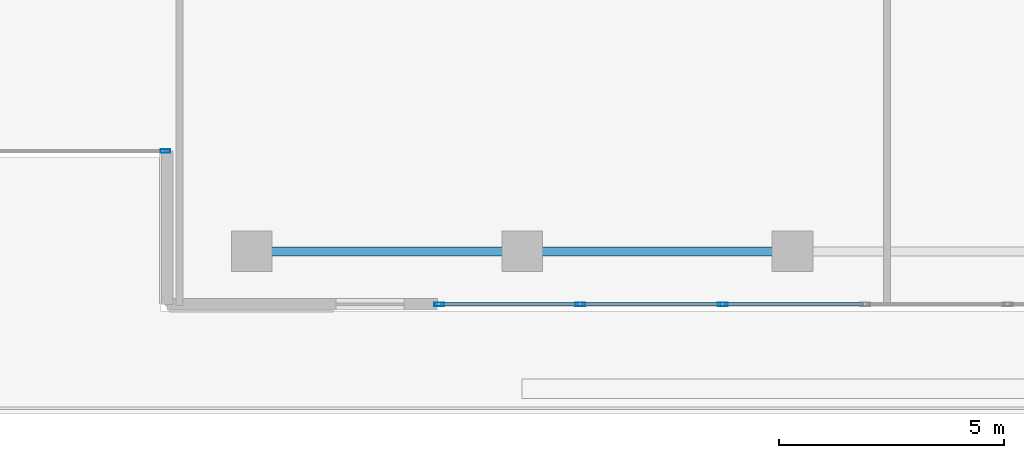
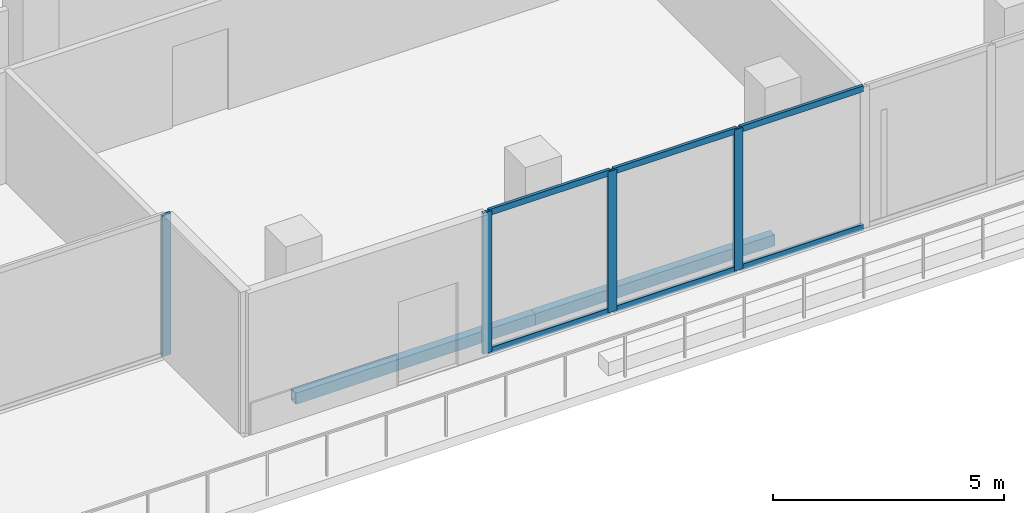
# One storey, part 5 of 30: 10 members, 2 beams, 2 elements without a shape of their own.
"""IFC4 building model written with IfcOpenShell, lengths in metres."""

import ifcopenshell
import ifcopenshell.guid

model = None  # the IFC model being written
_history = None  # IfcOwnerHistory: only IFC2X3 demands one
_inside = {}  # id of a spatial element -> (the spatial element, [elements in it])
_under = {}  # id of a project, library or spatial element -> (it, [spatial elements below it])
_declared = {}  # id of a project -> (the project, [libraries it declares])
_typed = {}  # id of a type object -> (the type object, [elements of that type])
_made_of = {}  # id of a material, layer set ... -> (it, [elements and type objects made of it])


def new_model(schema):
    """Start an empty IFC model of exactly this schema.

    Asked for "IFC4X3", IfcOpenShell would pick the latest addendum, in which some entities
    have other attributes; the version numbers below select the first issue.
    IFC2X3 requires an IfcOwnerHistory on every rooted entity: one is made here for all.
    """
    global model, _history
    if schema == "IFC4X3":
        model = ifcopenshell.file(schema_version=(4, 3, 0, 0))
    else:
        model = ifcopenshell.file(schema=schema)
    _inside.clear()
    _under.clear()
    _declared.clear()
    _typed.clear()
    _made_of.clear()
    _history = None
    if model.schema == "IFC2X3":
        org = make("IfcOrganization", Name="unknown")
        user = make(
            "IfcPersonAndOrganization",
            ThePerson=make("IfcPerson", FamilyName="unknown"),
            TheOrganization=org,
        )
        app = make(
            "IfcApplication",
            ApplicationDeveloper=org,
            Version="unknown",
            ApplicationFullName="unknown",
            ApplicationIdentifier="unknown",
        )
        _history = make(
            "IfcOwnerHistory",
            OwningUser=user,
            OwningApplication=app,
            ChangeAction="ADDED",
            CreationDate=0,
        )
    return model


def make(cls, **values):
    """One entity of the class cls with the attributes given. An attribute that is None is left unset."""
    return model.create_entity(
        cls, **{name: value for name, value in values.items() if value is not None}
    )


def rooted(cls, **values):
    """An entity with a GlobalId (a new one), such as an element, a storey or a relation."""
    return make(cls, GlobalId=ifcopenshell.guid.new(), OwnerHistory=_history, **values)


def si_unit(unit_type, name, prefix=None):
    """IfcSIUnit, for example si_unit("LENGTHUNIT", "METRE", prefix="MILLI")."""
    return make("IfcSIUnit", UnitType=unit_type, Prefix=prefix, Name=name)


def assignment(units):
    """IfcUnitAssignment: the units of a project."""
    return None if units is None else make("IfcUnitAssignment", Units=units)


def point(xyz):
    """IfcCartesianPoint."""
    return None if xyz is None else make("IfcCartesianPoint", Coordinates=xyz)


def direction(xyz):
    """IfcDirection."""
    return None if xyz is None else make("IfcDirection", DirectionRatios=xyz)


def frame(location, z_axis=None, x_axis=None):
    """IfcAxis2Placement3D, a coordinate frame: its origin and axes. An axis left out is left unset."""
    return make(
        "IfcAxis2Placement3D",
        Location=point(location),
        Axis=direction(z_axis),
        RefDirection=direction(x_axis),
    )


def frame_2d(location, x_axis=None):
    """IfcAxis2Placement2D, a coordinate frame in the plane: its origin and x axis."""
    return make(
        "IfcAxis2Placement2D", Location=point(location), RefDirection=direction(x_axis)
    )


def origin():
    """The frame at (0, 0, 0) with its axes left unset."""
    return frame((0.0, 0.0, 0.0))


def origin_2d():
    """The frame at (0, 0) in the plane with its x axis left unset."""
    return frame_2d((0.0, 0.0))


def place(relative_to, where):
    """IfcLocalPlacement: puts the frame where relative to a parent placement (None: the world)."""
    return make(
        "IfcLocalPlacement", PlacementRelTo=relative_to, RelativePlacement=where
    )


def context(
    kind, dimensions, precision=None, world=None, true_north=None, identifier=None
):
    """IfcGeometricRepresentationContext, for example the 3D "Model" context."""
    return make(
        "IfcGeometricRepresentationContext",
        ContextIdentifier=identifier,
        ContextType=kind,
        CoordinateSpaceDimension=dimensions,
        Precision=precision,
        WorldCoordinateSystem=world,
        TrueNorth=true_north,
    )


def subcontext(parent, identifier, kind, view, scale=None):
    """IfcGeometricRepresentationSubContext, for example "Body" below "Model"."""
    return make(
        "IfcGeometricRepresentationSubContext",
        ContextIdentifier=identifier,
        ContextType=kind,
        ParentContext=parent,
        TargetScale=scale,
        TargetView=view,
    )


def project(units=None, contexts=None):
    """IfcProject with its units and contexts."""
    return rooted(
        "IfcProject",
        Name="project",
        RepresentationContexts=contexts,
        UnitsInContext=assignment(units),
    )


def spatial(cls, under=None, at=None, **own):
    """A site, building, storey or space (cls), placed at a placement, below another one or the project."""
    s = rooted(cls, ObjectPlacement=at, **own)
    if under is not None:
        _under.setdefault(under.id(), (under, []))[1].append(s)
    return s


def profile(cls, at=None, kind="AREA", **sizes):
    """A parametric profile (cls). Its sizes go by their IFC names, for example OverallWidth=200.0."""
    return make(cls, ProfileType=kind, Position=at, **sizes)


def hollow_rectangle(**sizes):
    """IfcRectangleHollowProfileDef."""
    return profile("IfcRectangleHollowProfileDef", **sizes)


def extrude(swept, where, along, depth):
    """IfcExtrudedAreaSolid: the profile swept, set in the frame where, extruded along a direction by depth."""
    return make(
        "IfcExtrudedAreaSolid",
        SweptArea=swept,
        Position=where,
        ExtrudedDirection=direction(along),
        Depth=depth,
    )


def shape(context_of_items, identifier, shape_type, items):
    """IfcShapeRepresentation: the items that make up one representation, for example the "Body"."""
    return make(
        "IfcShapeRepresentation",
        ContextOfItems=context_of_items,
        RepresentationIdentifier=identifier,
        RepresentationType=shape_type,
        Items=items,
    )


def material(Name=None, Category=None):
    """IfcMaterial."""
    return make("IfcMaterial", Name=Name, Category=Category)


def layer(
    of_material, thickness, ventilated=None, Name=None, Category=None, Priority=None
):
    """IfcMaterialLayer: one layer of a wall or slab, of a material (None: an air gap)."""
    return make(
        "IfcMaterialLayer",
        Material=of_material,
        LayerThickness=thickness,
        IsVentilated=ventilated,
        Name=Name,
        Category=Category,
        Priority=Priority,
    )


def layer_set(layers, Name=None):
    """IfcMaterialLayerSet."""
    return make("IfcMaterialLayerSet", MaterialLayers=layers, LayerSetName=Name)


def material_profile(
    of_material, cross_section, Name=None, Category=None, Priority=None
):
    """IfcMaterialProfile: a cross section and its material."""
    return make(
        "IfcMaterialProfile",
        Name=Name,
        Material=of_material,
        Profile=cross_section,
        Priority=Priority,
        Category=Category,
    )


def profile_set(profiles, Name=None, composite=None):
    """IfcMaterialProfileSet."""
    return make(
        "IfcMaterialProfileSet",
        Name=Name,
        MaterialProfiles=profiles,
        CompositeProfile=composite,
    )


def made_of(thing, what):
    """Note that an element or type object is made of a material, layer set ...; save() writes the relation."""
    if what is not None:
        _made_of.setdefault(what.id(), (what, []))[1].append(thing)
    return thing


def type_object(cls, material=None, **own):
    """A type object (cls), such as IfcWallType, which elements share."""
    return made_of(rooted(cls, **own), material)


def element(
    cls,
    number,
    at=None,
    inside=None,
    cuts=None,
    type_object=None,
    material=None,
    context=None,
    identifier="Body",
    shape_type=None,
    held_by="IfcProductDefinitionShape",
    body=None,
    shapes=None,
    **own,
):
    """One element of the class cls, such as IfcWall. Its Tag is "e" and its number.

    at: its placement. inside: the storey or other place that contains it. cuts: it is an
    opening in that element (IfcRelVoidsElement). A single representation is given by context,
    identifier, shape_type and body (its items); several are given by shapes. held_by: the class
    of the entity that holds the representations. save() writes the other relations.
    """
    e = rooted(cls, Tag="e%d" % number, ObjectPlacement=at, **own)
    if body is not None:
        shapes = [shape(context, identifier, shape_type, body)]
    if shapes is not None:
        e.Representation = make(held_by, Representations=shapes)
    if inside is not None:
        _inside.setdefault(inside.id(), (inside, []))[1].append(e)
    if cuts is not None:
        rooted(
            "IfcRelVoidsElement", RelatingBuildingElement=cuts, RelatedOpeningElement=e
        )
    if type_object is not None:
        _typed.setdefault(type_object.id(), (type_object, []))[1].append(e)
    return made_of(e, material)


def aggregate(whole, parts):
    """IfcRelAggregates: a whole, such as a stair, and the parts it consists of."""
    return rooted("IfcRelAggregates", RelatingObject=whole, RelatedObjects=parts)


def save(model, path):
    """Write the relations noted so far, then the file.

    IfcRelAggregates (storeys below a building ...), IfcRelContainedInSpatialStructure (elements
    in a storey), IfcRelDefinesByType, IfcRelAssociatesMaterial and IfcRelDeclares: one each for
    every whole, place, type object, material and project.
    """
    for whole, parts in _under.values():
        aggregate(whole, parts)
    for where, things in _inside.values():
        rooted(
            "IfcRelContainedInSpatialStructure",
            RelatedElements=things,
            RelatingStructure=where,
        )
    for kind, things in _typed.values():
        rooted("IfcRelDefinesByType", RelatedObjects=things, RelatingType=kind)
    for what, things in _made_of.values():
        rooted("IfcRelAssociatesMaterial", RelatedObjects=things, RelatingMaterial=what)
    for by, libraries in _declared.values():
        rooted("IfcRelDeclares", RelatingContext=by, RelatedDefinitions=libraries)
    model.write(path)


model = new_model("IFC4")

# Units and contexts
model_context = context("Model", 3, precision=1e-05, world=origin(), true_north=direction((0.0, 1.0)))
body_context = subcontext(model_context, "Body", "Model", "MODEL_VIEW")
ifc_project = project(units=[si_unit("LENGTHUNIT", "METRE"), si_unit("AREAUNIT", "SQUARE_METRE"), si_unit("VOLUMEUNIT", "CUBIC_METRE"), si_unit("PLANEANGLEUNIT", "RADIAN"), si_unit("MASSUNIT", "GRAM", prefix="KILO")], contexts=[model_context])

# Site, building, storey
site_placement = place(None, origin())
site = spatial("IfcSite", under=ifc_project, at=site_placement, CompositionType="ELEMENT")
building_placement = place(site_placement, origin())
building = spatial("IfcBuilding", under=site, at=building_placement, Name="Tanjung Sevakor Pilgrim Tower", CompositionType="ELEMENT")
storey_placement = place(building_placement, frame((0.0, 0.0, 128.0400390625)))
storey = spatial("IfcBuildingStorey", under=building, at=storey_placement, Name="L35", CompositionType="ELEMENT", Elevation=128.0400390625)

# Beams
ifc_material_1 = material(Name="Steel S355J2", Category="steel")
ifc_material_profile_1 = material_profile(ifc_material_1, hollow_rectangle(XDim=0.199951171875, YDim=0.300048828125, WallThickness=0.012451171875, at=origin_2d()))
ifc_profile_set_1 = profile_set([ifc_material_profile_1], Name="Steel S355J2")
beam_type = type_object("IfcBeamType", Name="BM-B-SP3-RHS_300x200x12.5", PredefinedType="SPANDREL", material=ifc_profile_set_1)
for number, where, z_axis, x_axis, name in (
    (1, (54.0, 13.199951171875, -0.429931640625), (1.0, 0.0, 0.0), (0.0, 1.0, 0.0), "L35 Spandrel MAIN S-07"),
    (2, (60.0, 13.199951171875, -0.429931640625), (1.0, 0.0, 0.0), (0.0, 1.0, 0.0), "L35 Spandrel MAIN S-09"),
):
    element("IfcBeam", number, at=place(storey_placement, frame(where, z_axis=z_axis, x_axis=x_axis)), inside=storey, type_object=beam_type, Name=name, PredefinedType="SPANDREL", context=body_context, shape_type="SweptSolid", body=[
        extrude(hollow_rectangle(XDim=0.199951171875, YDim=0.300048828125, WallThickness=0.012451171875, at=origin_2d()), origin(), (0.0, 0.0, 1.0), 6.0),
    ])

# Curtain wall, member
ifc_material_2 = material(Name="Aluminium 6063-T6 and Low-E Glass", Category="aluminium")
ifc_layer_1 = layer(ifc_material_2, 0.179931640625)
ifc_layer_set_1 = layer_set([ifc_layer_1], Name="CW-SYS-CLEFT")
curtain_wall_type_1 = type_object("IfcCurtainWallType", Name="CW-SYS-CLEFT", PredefinedType="NOTDEFINED", material=ifc_layer_set_1)
curtain_wall_1_placement = place(storey_placement, origin())
curtain_wall_1 = element("IfcCurtainWall", 3, at=curtain_wall_1_placement, inside=storey, type_object=curtain_wall_type_1, Name="L35 Curtain Wall CW-CLF-L35-2", PredefinedType="NOTDEFINED")
ifc_material_3 = material(Name="Aluminium 6063-T6", Category="aluminium")
ifc_material_profile_2 = material_profile(ifc_material_3, hollow_rectangle(XDim=0.074951171875, YDim=0.219970703125, WallThickness=0.0048828125, at=origin_2d()))
ifc_profile_set_2 = profile_set([ifc_material_profile_2], Name="Aluminium 6063-T6")
member_type_1 = type_object("IfcMemberType", Name="TYPE-CWM-2", PredefinedType="MULLION", material=ifc_profile_set_2)
member_1_placement = place(storey_placement, frame((52.08740234375, 15.425048828125, 0.0), z_axis=(0.0, 0.0, 1.0), x_axis=(0.0, 1.0, 0.0)))
member_1 = element("IfcMember", 4, at=member_1_placement, type_object=member_type_1, Name="CW-CLF mullion 2", PredefinedType="MULLION", context=body_context, shape_type="SweptSolid", body=[
    extrude(hollow_rectangle(XDim=0.074951171875, YDim=0.219970703125, WallThickness=0.0048828125, at=origin_2d()), origin(), (0.0, 0.0, 1.0), 3.739990234375),
])
aggregate(curtain_wall_1, [member_1])

# Curtain wall, members
ifc_material_4 = material(Name="Aluminium 6063-T6 and Low-E Glass", Category="aluminium")
ifc_layer_2 = layer(ifc_material_4, 0.199951171875)
ifc_layer_set_2 = layer_set([ifc_layer_2], Name="CW-SYS-SKY")
curtain_wall_type_2 = type_object("IfcCurtainWallType", Name="CW-SYS-SKY", PredefinedType="NOTDEFINED", material=ifc_layer_set_2)
curtain_wall_2_placement = place(storey_placement, origin())
curtain_wall_2 = element("IfcCurtainWall", 5, at=curtain_wall_2_placement, inside=storey, type_object=curtain_wall_type_2, Name="L35 Curtain Wall CW-SKY-L35-S", PredefinedType="NOTDEFINED")
member_2_placement = place(storey_placement, frame((58.16259765625, 12.02490234375, 0.0), z_axis=(0.0, 0.0, 1.0), x_axis=(0.0, 1.0, 0.0)))
member_2 = element("IfcMember", 6, at=member_2_placement, type_object=member_type_1, Name="CW-SKY mullion 1", PredefinedType="MULLION", context=body_context, shape_type="SweptSolid", body=[
    extrude(hollow_rectangle(XDim=0.074951171875, YDim=0.219970703125, WallThickness=0.0048828125, at=origin_2d()), origin(), (0.0, 0.0, 1.0), 3.739990234375),
])
member_3_placement = place(storey_placement, frame((61.287353515625, 12.02490234375, 0.0), z_axis=(0.0, 0.0, 1.0), x_axis=(0.0, 1.0, 0.0)))
member_3 = element("IfcMember", 7, at=member_3_placement, type_object=member_type_1, Name="CW-SKY mullion 2", PredefinedType="MULLION", context=body_context, shape_type="SweptSolid", body=[
    extrude(hollow_rectangle(XDim=0.074951171875, YDim=0.219970703125, WallThickness=0.0048828125, at=origin_2d()), origin(), (0.0, 0.0, 1.0), 3.739990234375),
])
member_4_placement = place(storey_placement, frame((64.44970703125, 12.02490234375, 0.0), z_axis=(0.0, 0.0, 1.0), x_axis=(0.0, 1.0, 0.0)))
member_4 = element("IfcMember", 8, at=member_4_placement, type_object=member_type_1, Name="CW-SKY mullion 3", PredefinedType="MULLION", context=body_context, shape_type="SweptSolid", body=[
    extrude(hollow_rectangle(XDim=0.074951171875, YDim=0.219970703125, WallThickness=0.0048828125, at=origin_2d()), origin(), (0.0, 0.0, 1.0), 3.739990234375),
])
ifc_material_5 = material(Name="Aluminium 6063-T6", Category="aluminium")
ifc_material_profile_3 = material_profile(ifc_material_5, hollow_rectangle(XDim=0.074951171875, YDim=0.159912109375, WallThickness=0.00439453125, at=origin_2d()))
ifc_profile_set_3 = profile_set([ifc_material_profile_3], Name="Aluminium 6063-T6")
member_type_2 = type_object("IfcMemberType", Name="TYPE-CWT-2", PredefinedType="USERDEFINED", material=ifc_profile_set_3)
member_5_placement = place(storey_placement, frame((58.199951171875, 12.02490234375, 0.037353515625), z_axis=(1.0, 0.0, 0.0), x_axis=(0.0, 1.0, 0.0)))
member_5 = element("IfcMember", 9, at=member_5_placement, type_object=member_type_2, Name="CW-SKY transom 1.1", ObjectType="TRANSOM", PredefinedType="USERDEFINED", context=body_context, shape_type="SweptSolid", body=[
    extrude(hollow_rectangle(XDim=0.074951171875, YDim=0.159912109375, WallThickness=0.00439453125, at=origin_2d()), origin(), (0.0, 0.0, 1.0), 3.0498046875),
])
member_6_placement = place(storey_placement, frame((58.199951171875, 12.02490234375, 3.702392578125), z_axis=(1.0, 0.0, 0.0), x_axis=(0.0, 1.0, 0.0)))
member_6 = element("IfcMember", 10, at=member_6_placement, type_object=member_type_2, Name="CW-SKY transom 1.2", ObjectType="TRANSOM", PredefinedType="USERDEFINED", context=body_context, shape_type="SweptSolid", body=[
    extrude(hollow_rectangle(XDim=0.074951171875, YDim=0.159912109375, WallThickness=0.00439453125, at=origin_2d()), origin(), (0.0, 0.0, 1.0), 3.0498046875),
])
member_7_placement = place(storey_placement, frame((61.32470703125, 12.02490234375, 0.037353515625), z_axis=(1.0, 0.0, 0.0), x_axis=(0.0, 1.0, 0.0)))
member_7 = element("IfcMember", 11, at=member_7_placement, type_object=member_type_2, Name="CW-SKY transom 2.1", ObjectType="TRANSOM", PredefinedType="USERDEFINED", context=body_context, shape_type="SweptSolid", body=[
    extrude(hollow_rectangle(XDim=0.074951171875, YDim=0.159912109375, WallThickness=0.00439453125, at=origin_2d()), origin(), (0.0, 0.0, 1.0), 3.08740234375),
])
member_8_placement = place(storey_placement, frame((61.32470703125, 12.02490234375, 3.702392578125), z_axis=(1.0, 0.0, 0.0), x_axis=(0.0, 1.0, 0.0)))
member_8 = element("IfcMember", 12, at=member_8_placement, type_object=member_type_2, Name="CW-SKY transom 2.2", ObjectType="TRANSOM", PredefinedType="USERDEFINED", context=body_context, shape_type="SweptSolid", body=[
    extrude(hollow_rectangle(XDim=0.074951171875, YDim=0.159912109375, WallThickness=0.00439453125, at=origin_2d()), origin(), (0.0, 0.0, 1.0), 3.08740234375),
])
member_9_placement = place(storey_placement, frame((64.487060546875, 12.02490234375, 0.037353515625), z_axis=(1.0, 0.0, 0.0), x_axis=(0.0, 1.0, 0.0)))
member_9 = element("IfcMember", 13, at=member_9_placement, type_object=member_type_2, Name="CW-SKY transom 3.1", ObjectType="TRANSOM", PredefinedType="USERDEFINED", context=body_context, shape_type="SweptSolid", body=[
    extrude(hollow_rectangle(XDim=0.074951171875, YDim=0.159912109375, WallThickness=0.00439453125, at=origin_2d()), origin(), (0.0, 0.0, 1.0), 3.08740234375),
])
member_10_placement = place(storey_placement, frame((64.487060546875, 12.02490234375, 3.702392578125), z_axis=(1.0, 0.0, 0.0), x_axis=(0.0, 1.0, 0.0)))
member_10 = element("IfcMember", 14, at=member_10_placement, type_object=member_type_2, Name="CW-SKY transom 3.2", ObjectType="TRANSOM", PredefinedType="USERDEFINED", context=body_context, shape_type="SweptSolid", body=[
    extrude(hollow_rectangle(XDim=0.074951171875, YDim=0.159912109375, WallThickness=0.00439453125, at=origin_2d()), origin(), (0.0, 0.0, 1.0), 3.08740234375),
])
aggregate(curtain_wall_2, [member_2, member_3, member_4, member_5, member_6, member_7, member_8, member_9, member_10])

save(model, "model.ifc")
